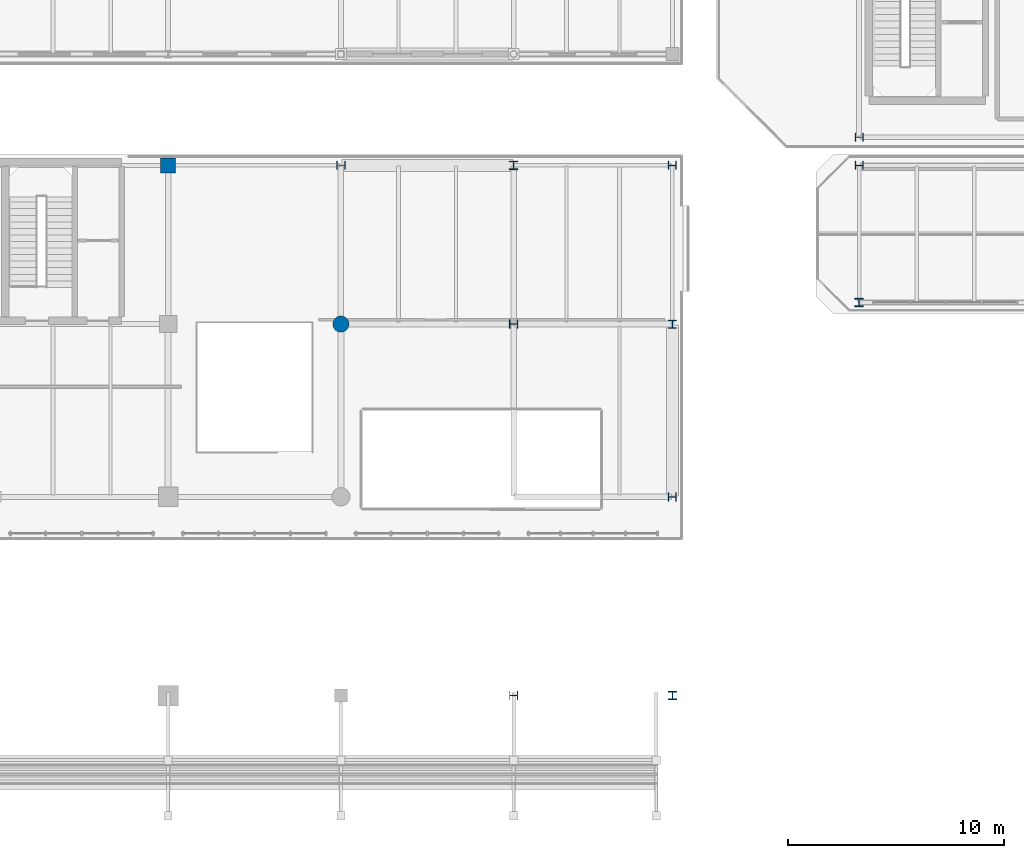
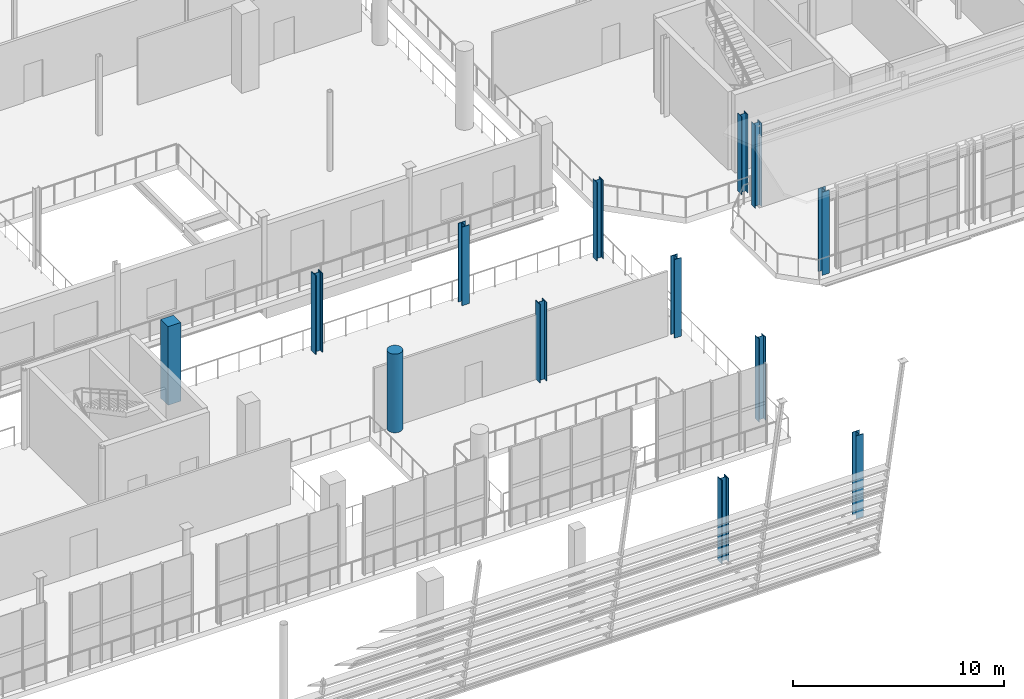
# One storey, part 4 of 93: 13 columns.
"""IFC4 building model written with IfcOpenShell, lengths in metres."""

from ifc_helpers import new_model, si_unit, direction, frame, origin, origin_2d, place, context, subcontext, project, spatial, rectangle, circle, i_section, extrude, material, material_profile, profile_set, type_object, element, save


model = new_model("IFC4")

# Units and contexts
model_context = context("Model", 3, precision=1e-05, world=origin(), true_north=direction((0.0, 1.0)))
body_context = subcontext(model_context, "Body", "Model", "MODEL_VIEW")
ifc_project = project(units=[si_unit("LENGTHUNIT", "METRE"), si_unit("AREAUNIT", "SQUARE_METRE"), si_unit("VOLUMEUNIT", "CUBIC_METRE"), si_unit("PLANEANGLEUNIT", "RADIAN"), si_unit("MASSUNIT", "GRAM", prefix="KILO")], contexts=[model_context])

# Site, building, storey
site_placement = place(None, origin())
site = spatial("IfcSite", under=ifc_project, at=site_placement, CompositionType="ELEMENT")
building_placement = place(site_placement, origin())
building = spatial("IfcBuilding", under=site, at=building_placement, Name="Brisemont Oceanarium", CompositionType="ELEMENT")
storey_placement = place(building_placement, frame((0.0, 0.0, 5.39990234375)))
storey = spatial("IfcBuildingStorey", under=building, at=storey_placement, Name="L01", CompositionType="ELEMENT", Elevation=5.39990234375)

# Columns
ifc_material_1 = material(Name="Concrete C35/45", Category="concrete")
ifc_material_profile_1 = material_profile(ifc_material_1, rectangle(XDim=0.699951171875, YDim=0.699951171875, at=origin_2d()), Name="RC-COL-700X700")
ifc_profile_set_1 = profile_set([ifc_material_profile_1], Name="Concrete C35/45")
column_type_1 = type_object("IfcColumnType", Name="COL-RC700", PredefinedType="COLUMN", material=ifc_profile_set_1)
column_1_placement = place(storey_placement, frame((32.0, 31.35009765625, 0.0), z_axis=(0.0, 0.0, 1.0), x_axis=(1.0, 0.0, 0.0)))
element("IfcColumn", 1, at=column_1_placement, inside=storey, type_object=column_type_1, Name="V2 L01 column (3,3)", PredefinedType="COLUMN", context=body_context, shape_type="SweptSolid", body=[
    extrude(rectangle(XDim=0.699951171875, YDim=0.699951171875, at=origin_2d()), origin(), (0.0, 0.0, 1.0), 4.5400390625),
])
ifc_material_2 = material(Name="Concrete C40/50", Category="concrete")
ifc_material_profile_2 = material_profile(ifc_material_2, circle(Radius=0.375, at=origin_2d()), Name="RC-COL-D750")
ifc_profile_set_2 = profile_set([ifc_material_profile_2], Name="Concrete C40/50")
column_type_2 = type_object("IfcColumnType", Name="COL-RCD750", PredefinedType="COLUMN", material=ifc_profile_set_2)
column_2_placement = place(storey_placement, frame((40.0, 24.0, 0.0), z_axis=(0.0, 0.0, 1.0), x_axis=(1.0, 0.0, 0.0)))
element("IfcColumn", 2, at=column_2_placement, inside=storey, type_object=column_type_2, Name="V2 L01 column (4,2)", PredefinedType="COLUMN", context=body_context, shape_type="SweptSolid", body=[
    extrude(circle(Radius=0.375, at=origin_2d()), origin(), (0.0, 0.0, 1.0), 4.5400390625),
])
ifc_material_3 = material(Name="Structural Steel ASTM A992 Gr.50", Category="steel")
ifc_material_profile_3 = material_profile(ifc_material_3, i_section(OverallWidth=0.373046875, OverallDepth=0.367919921875, WebThickness=0.014892578125, FlangeThickness=0.02392578125, FilletRadius=0.014892578125, at=origin_2d()), Name="W14X120")
ifc_profile_set_3 = profile_set([ifc_material_profile_3], Name="Structural Steel ASTM A992 Gr.50")
column_type_3 = type_object("IfcColumnType", Name="COL-W14X120", PredefinedType="COLUMN", material=ifc_profile_set_3)
column_3_placement = place(storey_placement, frame((55.35009765625, 31.35009765625, 0.0), z_axis=(0.0, 0.0, 1.0), x_axis=(0.0, 1.0, 0.0)))
element("IfcColumn", 3, at=column_3_placement, inside=storey, type_object=column_type_3, Name="V2 L01 column (6,3)", PredefinedType="COLUMN", context=body_context, shape_type="SweptSolid", body=[
    extrude(i_section(OverallWidth=0.373046875, OverallDepth=0.367919921875, WebThickness=0.014892578125, FlangeThickness=0.02392578125, FilletRadius=0.014892578125, at=origin_2d()), origin(), (0.0, 0.0, 1.0), 4.5400390625),
])
ifc_material_4 = material(Name="Structural Steel ASTM A992 Gr.50", Category="steel")
ifc_material_profile_4 = material_profile(ifc_material_4, i_section(OverallWidth=0.3740234375, OverallDepth=0.3720703125, WebThickness=0.016357421875, FlangeThickness=0.026123046875, FilletRadius=0.014892578125, at=origin_2d()), Name="W14X132")
ifc_profile_set_4 = profile_set([ifc_material_profile_4], Name="Structural Steel ASTM A992 Gr.50")
column_type_4 = type_object("IfcColumnType", Name="COL-W14X132", PredefinedType="COLUMN", material=ifc_profile_set_4)
column_4_placement = place(storey_placement, frame((64.0, 31.35009765625, 0.0), z_axis=(0.0, 0.0, 1.0), x_axis=(0.0, 1.0, 0.0)))
element("IfcColumn", 4, at=column_4_placement, inside=storey, type_object=column_type_4, Name="V1P L01 column (0,1)", PredefinedType="COLUMN", context=body_context, shape_type="SweptSolid", body=[
    extrude(i_section(OverallWidth=0.3740234375, OverallDepth=0.3720703125, WebThickness=0.016357421875, FlangeThickness=0.026123046875, FilletRadius=0.014892578125, at=origin_2d()), origin(), (0.0, 0.0, 1.0), 4.800048828125),
])
column_5_placement = place(storey_placement, frame((55.35009765625, 24.0, 0.0), z_axis=(0.0, 0.0, 1.0), x_axis=(1.0, 0.0, 0.0)))
element("IfcColumn", 5, at=column_5_placement, inside=storey, type_object=column_type_4, Name="V2 L01 column (6,2)", PredefinedType="COLUMN", context=body_context, shape_type="SweptSolid", body=[
    extrude(i_section(OverallWidth=0.3740234375, OverallDepth=0.3720703125, WebThickness=0.016357421875, FlangeThickness=0.026123046875, FilletRadius=0.014892578125, at=origin_2d()), origin(), (0.0, 0.0, 1.0), 4.5400390625),
])
ifc_material_5 = material(Name="Structural Steel ASTM A992 Gr.50", Category="steel")
ifc_material_profile_5 = material_profile(ifc_material_5, i_section(OverallWidth=0.39404296875, OverallDepth=0.3759765625, WebThickness=0.017333984375, FlangeThickness=0.027587890625, FilletRadius=0.014892578125, at=origin_2d()), Name="W14X145")
ifc_profile_set_5 = profile_set([ifc_material_profile_5], Name="Structural Steel ASTM A992 Gr.50")
column_type_5 = type_object("IfcColumnType", Name="COL-W14X145", PredefinedType="COLUMN", material=ifc_profile_set_5)
for number, where, z_axis, x_axis, name in (
    (6, (64.0, 25.0, 0.0), (0.0, 0.0, 1.0), (1.0, 0.0, 0.0), "V1P L01 column (0,0)"),
    (7, (55.35009765625, 16.0, 0.0), (0.0, 0.0, 1.0), (0.0, 1.0, 0.0), "V2 L01 column (6,1)"),
):
    element("IfcColumn", number, at=place(storey_placement, frame(where, z_axis=z_axis, x_axis=x_axis)), inside=storey, type_object=column_type_5, Name=name, PredefinedType="COLUMN", context=body_context, shape_type="SweptSolid", body=[
        extrude(i_section(OverallWidth=0.39404296875, OverallDepth=0.3759765625, WebThickness=0.017333984375, FlangeThickness=0.027587890625, FilletRadius=0.014892578125, at=origin_2d()), origin(), (0.0, 0.0, 1.0), 4.800048828125),
    ])
ifc_material_6 = material(Name="Structural Steel ASTM A992 Gr.50", Category="steel")
ifc_material_profile_6 = material_profile(ifc_material_6, i_section(OverallWidth=0.39501953125, OverallDepth=0.3798828125, WebThickness=0.018798828125, FlangeThickness=0.0302734375, FilletRadius=0.014892578125, at=origin_2d()), Name="W14X159")
ifc_profile_set_6 = profile_set([ifc_material_profile_6], Name="Structural Steel ASTM A992 Gr.50")
column_type_6 = type_object("IfcColumnType", Name="COL-W14X159", PredefinedType="COLUMN", material=ifc_profile_set_6)
column_6_placement = place(storey_placement, frame((55.35009765625, 6.800048828125, 0.0), z_axis=(0.0, 0.0, 1.0), x_axis=(1.0, 0.0, 0.0)))
element("IfcColumn", 8, at=column_6_placement, inside=storey, type_object=column_type_6, Name="V2 L01 column (6,0)", PredefinedType="COLUMN", context=body_context, shape_type="SweptSolid", body=[
    extrude(i_section(OverallWidth=0.39501953125, OverallDepth=0.3798828125, WebThickness=0.018798828125, FlangeThickness=0.0302734375, FilletRadius=0.014892578125, at=origin_2d()), origin(), (0.0, 0.0, 1.0), 4.800048828125),
])
ifc_material_7 = material(Name="Structural Steel ASTM A992 Gr.50", Category="steel")
ifc_material_profile_7 = material_profile(ifc_material_7, i_section(OverallWidth=0.39892578125, OverallDepth=0.385986328125, WebThickness=0.02099609375, FlangeThickness=0.033203125, FilletRadius=0.014892578125, at=origin_2d()), Name="W14X176")
ifc_profile_set_7 = profile_set([ifc_material_profile_7], Name="Structural Steel ASTM A992 Gr.50")
column_type_7 = type_object("IfcColumnType", Name="COL-W14X176", PredefinedType="COLUMN", material=ifc_profile_set_7)
column_7_placement = place(storey_placement, frame((48.0, 31.35009765625, 0.0), z_axis=(0.0, 0.0, 1.0), x_axis=(1.0, 0.0, 0.0)))
element("IfcColumn", 9, at=column_7_placement, inside=storey, type_object=column_type_7, Name="V2 L01 column (5,3)", PredefinedType="COLUMN", context=body_context, shape_type="SweptSolid", body=[
    extrude(i_section(OverallWidth=0.39892578125, OverallDepth=0.385986328125, WebThickness=0.02099609375, FlangeThickness=0.033203125, FilletRadius=0.014892578125, at=origin_2d()), origin(), (0.0, 0.0, 1.0), 4.5400390625),
])
ifc_material_8 = material(Name="Structural Steel ASTM A992 Gr.50", Category="steel")
ifc_material_profile_8 = material_profile(ifc_material_8, i_section(OverallWidth=0.39990234375, OverallDepth=0.39306640625, WebThickness=0.022705078125, FlangeThickness=0.03662109375, FilletRadius=0.014892578125, at=origin_2d()), Name="W14X193")
ifc_profile_set_8 = profile_set([ifc_material_profile_8], Name="Structural Steel ASTM A992 Gr.50")
column_type_8 = type_object("IfcColumnType", Name="COL-W14X193", PredefinedType="COLUMN", material=ifc_profile_set_8)
column_8_placement = place(storey_placement, frame((48.0, 24.0, 0.0), z_axis=(0.0, 0.0, 1.0), x_axis=(0.0, 1.0, 0.0)))
element("IfcColumn", 10, at=column_8_placement, inside=storey, type_object=column_type_8, Name="V2 L01 column (5,2)", PredefinedType="COLUMN", context=body_context, shape_type="SweptSolid", body=[
    extrude(i_section(OverallWidth=0.39990234375, OverallDepth=0.39306640625, WebThickness=0.022705078125, FlangeThickness=0.03662109375, FilletRadius=0.014892578125, at=origin_2d()), origin(), (0.0, 0.0, 1.0), 4.5400390625),
])
ifc_material_9 = material(Name="Structural Steel ASTM A992 Gr.50", Category="steel")
ifc_material_profile_9 = material_profile(ifc_material_9, i_section(OverallWidth=0.404052734375, OverallDepth=0.406982421875, WebThickness=0.027099609375, FlangeThickness=0.043701171875, FilletRadius=0.014892578125, at=origin_2d()), Name="W14X233")
ifc_profile_set_9 = profile_set([ifc_material_profile_9], Name="Structural Steel ASTM A992 Gr.50")
column_type_9 = type_object("IfcColumnType", Name="COL-W14X233", PredefinedType="COLUMN", material=ifc_profile_set_9)
column_9_placement = place(storey_placement, frame((48.0, 6.800048828125, 0.0), z_axis=(0.0, 0.0, 1.0), x_axis=(0.0, 1.0, 0.0)))
element("IfcColumn", 11, at=column_9_placement, inside=storey, type_object=column_type_9, Name="V2 L01 column (5,0)", PredefinedType="COLUMN", context=body_context, shape_type="SweptSolid", body=[
    extrude(i_section(OverallWidth=0.404052734375, OverallDepth=0.406982421875, WebThickness=0.027099609375, FlangeThickness=0.043701171875, FilletRadius=0.014892578125, at=origin_2d()), origin(), (0.0, 0.0, 1.0), 4.800048828125),
])
ifc_material_10 = material(Name="Structural Steel ASTM A992 Gr.50", Category="steel")
ifc_material_profile_10 = material_profile(ifc_material_10, i_section(OverallWidth=0.406005859375, OverallDepth=0.416015625, WebThickness=0.02978515625, FlangeThickness=0.048095703125, FilletRadius=0.014892578125, at=origin_2d()), Name="W14X257")
ifc_profile_set_10 = profile_set([ifc_material_profile_10], Name="Structural Steel ASTM A992 Gr.50")
column_type_10 = type_object("IfcColumnType", Name="COL-W14X257", PredefinedType="COLUMN", material=ifc_profile_set_10)
column_10_placement = place(storey_placement, frame((40.0, 31.35009765625, 0.0), z_axis=(0.0, 0.0, 1.0), x_axis=(0.0, 1.0, 0.0)))
element("IfcColumn", 12, at=column_10_placement, inside=storey, type_object=column_type_10, Name="V2 L01 column (4,3)", PredefinedType="COLUMN", context=body_context, shape_type="SweptSolid", body=[
    extrude(i_section(OverallWidth=0.406005859375, OverallDepth=0.416015625, WebThickness=0.02978515625, FlangeThickness=0.048095703125, FilletRadius=0.014892578125, at=origin_2d()), origin(), (0.0, 0.0, 1.0), 4.5400390625),
])
ifc_material_11 = material(Name="Structural Steel ASTM A992 Gr.50", Category="steel")
ifc_material_profile_11 = material_profile(ifc_material_11, i_section(OverallWidth=0.367919921875, OverallDepth=0.35595703125, WebThickness=0.01123046875, FlangeThickness=0.01806640625, FilletRadius=0.014892578125, at=origin_2d()), Name="W14X90")
ifc_profile_set_11 = profile_set([ifc_material_profile_11], Name="Structural Steel ASTM A992 Gr.50")
column_type_11 = type_object("IfcColumnType", Name="COL-W14X90", PredefinedType="COLUMN", material=ifc_profile_set_11)
column_11_placement = place(storey_placement, frame((64.0, 32.64990234375, 0.0), z_axis=(0.0, 0.0, 1.0), x_axis=(0.0, 1.0, 0.0)))
element("IfcColumn", 13, at=column_11_placement, inside=storey, type_object=column_type_11, Name="V1 L01 column (1,0)", PredefinedType="COLUMN", context=body_context, shape_type="SweptSolid", body=[
    extrude(i_section(OverallWidth=0.367919921875, OverallDepth=0.35595703125, WebThickness=0.01123046875, FlangeThickness=0.01806640625, FilletRadius=0.014892578125, at=origin_2d()), origin(), (0.0, 0.0, 1.0), 4.52001953125),
])

save(model, "model.ifc")
